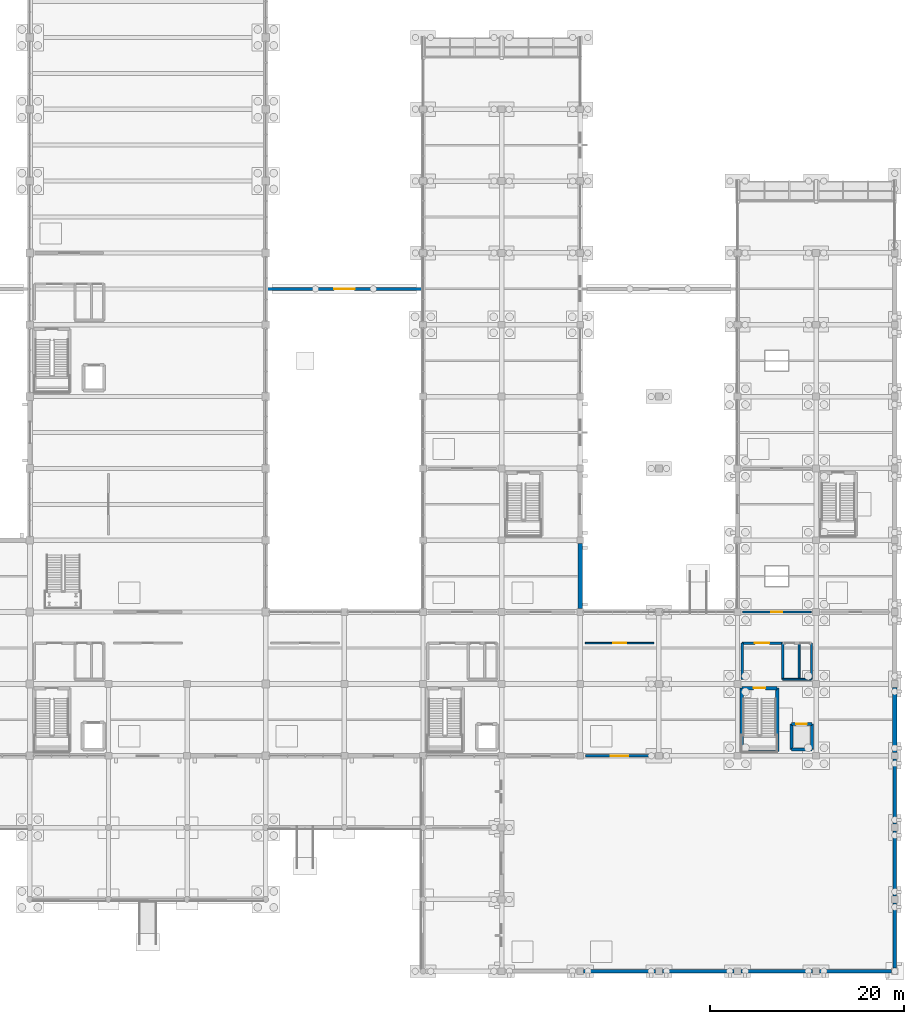
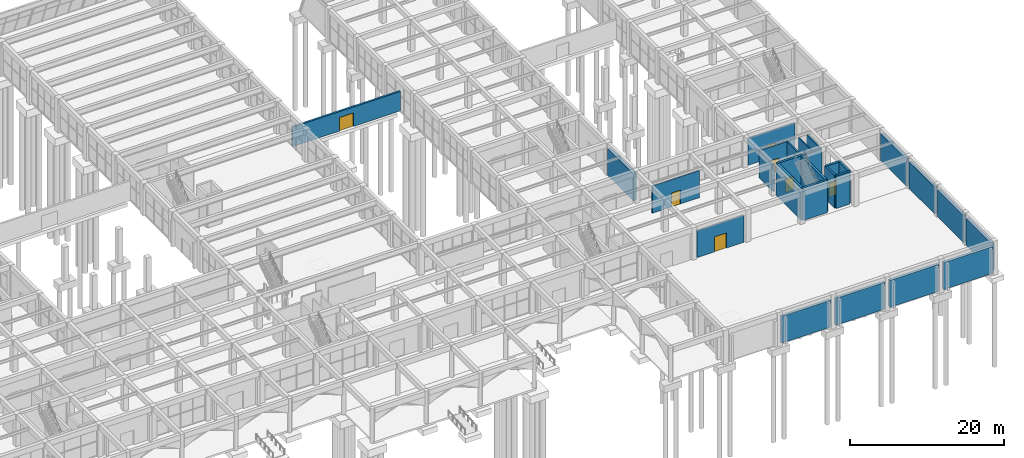
# One storey, part 129 of 140: 27 walls, 7 doors, 7 openings.
"""IFC4 building model written with IfcOpenShell, lengths in metres."""

from ifc_helpers import new_model, si_unit, direction, frame, frame_2d, origin, place, context, subcontext, project, spatial, rectangle, extrude, material, layer, layer_set, type_object, element, fill, save


model = new_model("IFC4")

# Units and contexts
model_context = context("Model", 3, precision=1e-05, world=origin(), true_north=direction((0.0, 1.0)))
body_context = subcontext(model_context, "Body", "Model", "MODEL_VIEW")
ifc_project = project(units=[si_unit("LENGTHUNIT", "METRE"), si_unit("AREAUNIT", "SQUARE_METRE"), si_unit("VOLUMEUNIT", "CUBIC_METRE"), si_unit("PLANEANGLEUNIT", "RADIAN"), si_unit("MASSUNIT", "GRAM", prefix="KILO")], contexts=[model_context])

# Site, building, storey
site_placement = place(None, origin())
site = spatial("IfcSite", under=ifc_project, at=site_placement, CompositionType="ELEMENT")
building_placement = place(site_placement, origin())
building = spatial("IfcBuilding", under=site, at=building_placement, Name="Cimatlan Art Gallery", CompositionType="ELEMENT")
storey_placement = place(building_placement, origin())
storey = spatial("IfcBuildingStorey", under=building, at=storey_placement, Name="L00", CompositionType="ELEMENT", Elevation=0.0)

# Walls
ifc_material_1 = material(Name="Concrete C40/50", Category="concrete")
ifc_layer_1 = layer(ifc_material_1, 0.31005859375)
ifc_layer_set_1 = layer_set([ifc_layer_1], Name="Concrete C40/50")
wall_type_1 = type_object("IfcWallType", Name="W-CORE-310", PredefinedType="SHEAR", material=ifc_layer_set_1)
wall_1_placement = place(storey_placement, frame((153.35009765625, 24.550048828125, 0.0), z_axis=(0.0, 0.0, 1.0), x_axis=(0.0, 1.0, 0.0)))
element("IfcWall", 1, at=wall_1_placement, inside=storey, type_object=wall_type_1, Name="WL-SHFT-C5-L00-LW", PredefinedType="SHEAR", context=body_context, shape_type="SweptSolid", body=[
    extrude(rectangle(XDim=2.599853515625, YDim=0.31005859375, at=frame_2d((1.2998046875, 0.0))), origin(), (0.0, 0.0, 1.0), 5.1298828125),
])
wall_2_placement = place(storey_placement, frame((153.35009765625, 24.550048828125, 0.0), z_axis=(0.0, 0.0, 1.0), x_axis=(1.0, 0.0, 0.0)))
element("IfcWall", 2, at=wall_2_placement, inside=storey, type_object=wall_type_1, Name="WL-SHFT-C5-L00-LS", PredefinedType="SHEAR", context=body_context, shape_type="SweptSolid", body=[
    extrude(rectangle(XDim=2.099853515625, YDim=0.31005859375, at=frame_2d((1.0498046875, 0.0))), origin(), (0.0, 0.0, 1.0), 5.1298828125),
])
wall_3_placement = place(storey_placement, frame((155.449951171875, 24.550048828125, 0.0), z_axis=(0.0, 0.0, 1.0), x_axis=(0.0, 1.0, 0.0)))
element("IfcWall", 3, at=wall_3_placement, inside=storey, type_object=wall_type_1, Name="WL-SHFT-C5-L00-LE", PredefinedType="SHEAR", context=body_context, shape_type="SweptSolid", body=[
    extrude(rectangle(XDim=2.599853515625, YDim=0.31005859375, at=frame_2d((1.2998046875, 0.0))), origin(), (0.0, 0.0, 1.0), 5.1298828125),
])

# Wall, opening, door
wall_4_placement = place(storey_placement, frame((153.35009765625, 27.14990234375, 0.0), z_axis=(0.0, 0.0, 1.0), x_axis=(1.0, 0.0, 0.0)))
wall_4 = element("IfcWall", 4, at=wall_4_placement, inside=storey, type_object=wall_type_1, Name="WL-SHFT-C5-L00-LN", PredefinedType="SHEAR", context=body_context, shape_type="SweptSolid", body=[
    extrude(rectangle(XDim=2.099853515625, YDim=0.31005859375, at=frame_2d((1.0498046875, 0.0))), origin(), (0.0, 0.0, 1.0), 5.1298828125),
])
opening_1_placement = place(wall_4_placement, frame((0.5, 0.0, 0.0)))
opening_1 = element("IfcOpeningElement", 5, at=opening_1_placement, cuts=wall_4, Name="Opening LD-C5-L00", PredefinedType="OPENING", context=body_context, shape_type="SweptSolid", body=[
    extrude(rectangle(XDim=1.10009765625, YDim=2.14990234375, at=frame_2d((0.550048828125, 1.074951171875))), frame((0.0, 0.1650390625, 0.0), z_axis=(0.0, -1.0, 0.0), x_axis=(1.0, 0.0, 0.0)), (0.0, 0.0, 1.0), 0.330078125),
])
ifc_material_2 = material(Name="Brushed bronze sliding lift landing door")
door_type_1 = type_object("IfcDoorType", Name="LD-PS-1100", OperationType="NOTDEFINED", PredefinedType="DOOR", material=ifc_material_2)
door_1_placement = place(opening_1_placement, origin())
door_1 = element("IfcDoor", 6, at=door_1_placement, inside=storey, type_object=door_type_1, Name="LD-PL-02-L00", OperationType="SLIDING_TO_LEFT", OverallHeight=2.14990234375, OverallWidth=1.10009765625, PredefinedType="DOOR", context=body_context, shape_type="SweptSolid", body=[
    extrude(rectangle(XDim=1.10009765625, YDim=2.14990234375, at=frame_2d((0.550048828125, 1.074951171875))), frame((0.0, 0.02490234375, 0.0), z_axis=(0.0, -1.0, 0.0), x_axis=(1.0, 0.0, 0.0)), (0.0, 0.0, 1.0), 0.050048828125),
])
fill(opening_1, door_1)

# Walls
ifc_layer_2 = layer(ifc_material_1, 0.35009765625)
ifc_layer_set_2 = layer_set([ifc_layer_2], Name="Concrete C40/50")
wall_type_2 = type_object("IfcWallType", Name="W-CORE-350", PredefinedType="SHEAR", material=ifc_layer_set_2)
wall_5_placement = place(storey_placement, frame((148.239990234375, 24.340087890625, 0.0), z_axis=(0.0, 0.0, 1.0), x_axis=(0.0, 1.0, 0.0)))
element("IfcWall", 7, at=wall_5_placement, inside=storey, type_object=wall_type_2, Name="WL-CORE-C5-L00-SW", PredefinedType="SHEAR", context=body_context, shape_type="SweptSolid", body=[
    extrude(rectangle(XDim=6.52001953125, YDim=0.35009765625, at=frame_2d((3.260009765625, 0.0))), origin(), (0.0, 0.0, 1.0), 5.1298828125),
])
wall_6_placement = place(storey_placement, frame((148.239990234375, 24.340087890625, 0.0), z_axis=(0.0, 0.0, 1.0), x_axis=(1.0, 0.0, 0.0)))
element("IfcWall", 8, at=wall_6_placement, inside=storey, type_object=wall_type_2, Name="WL-CORE-C5-L00-SS", PredefinedType="SHEAR", context=body_context, shape_type="SweptSolid", body=[
    extrude(rectangle(XDim=3.639892578125, YDim=0.35009765625, at=frame_2d((1.81982421875, 0.0))), origin(), (0.0, 0.0, 1.0), 5.1298828125),
])
wall_7_placement = place(storey_placement, frame((151.8798828125, 24.340087890625, 0.0), z_axis=(0.0, 0.0, 1.0), x_axis=(0.0, 1.0, 0.0)))
element("IfcWall", 9, at=wall_7_placement, inside=storey, type_object=wall_type_2, Name="WL-CORE-C5-L00-SE", PredefinedType="SHEAR", context=body_context, shape_type="SweptSolid", body=[
    extrude(rectangle(XDim=6.52001953125, YDim=0.35009765625, at=frame_2d((3.260009765625, 0.0))), origin(), (0.0, 0.0, 1.0), 5.1298828125),
])

# Wall, opening, door
wall_8_placement = place(storey_placement, frame((148.239990234375, 30.860107421875, 0.0), z_axis=(0.0, 0.0, 1.0), x_axis=(1.0, 0.0, 0.0)))
wall_8 = element("IfcWall", 10, at=wall_8_placement, inside=storey, type_object=wall_type_2, Name="WL-CORE-C5-L00-SN", PredefinedType="SHEAR", context=body_context, shape_type="SweptSolid", body=[
    extrude(rectangle(XDim=3.639892578125, YDim=0.35009765625, at=frame_2d((1.81982421875, 0.0))), origin(), (0.0, 0.0, 1.0), 5.1298828125),
])
opening_2_placement = place(wall_8_placement, frame((1.219970703125, 0.0, 0.0)))
opening_2 = element("IfcOpeningElement", 11, at=opening_2_placement, cuts=wall_8, Name="Opening FD-C5-L00", PredefinedType="OPENING", context=body_context, shape_type="SweptSolid", body=[
    extrude(rectangle(XDim=1.199951171875, YDim=2.14990234375, at=frame_2d((0.60009765625, 1.074951171875))), frame((0.0, 0.18505859375, 0.0), z_axis=(0.0, -1.0, 0.0), x_axis=(1.0, 0.0, 0.0)), (0.0, 0.0, 1.0), 0.3701171875),
])
ifc_material_3 = material(Name="Fire-resisting steel acoustic stair door", Category="steel")
door_type_2 = type_object("IfcDoorType", Name="FD-ST-1200", OperationType="NOTDEFINED", PredefinedType="DOOR", material=ifc_material_3)
door_2_placement = place(opening_2_placement, origin())
door_2 = element("IfcDoor", 12, at=door_2_placement, inside=storey, type_object=door_type_2, Name="DR-C5-L00-ST", OperationType="SINGLE_SWING_LEFT", OverallHeight=2.14990234375, OverallWidth=1.199951171875, PredefinedType="DOOR", context=body_context, shape_type="SweptSolid", body=[
    extrude(rectangle(XDim=1.199951171875, YDim=2.14990234375, at=frame_2d((0.60009765625, 1.074951171875))), frame((0.0, 0.02490234375, 0.0), z_axis=(0.0, -1.0, 0.0), x_axis=(1.0, 0.0, 0.0)), (0.0, 0.0, 1.0), 0.050048828125),
])
fill(opening_2, door_2)

ifc_material_4 = material(Name="Precast concrete C40/50", Category="concrete")
ifc_layer_3 = layer(ifc_material_4, 0.2451171875)
ifc_layer_set_3 = layer_set([ifc_layer_3], Name="Precast concrete C40/50")
wall_type_3 = type_object("IfcWallType", Name="W-FFL-245", PredefinedType="PARTITIONING", material=ifc_layer_set_3)
wall_9_placement = place(storey_placement, frame((148.280029296875, 35.5, 0.0), z_axis=(0.0, 0.0, 1.0), x_axis=(1.0, 0.0, 0.0)))
wall_9 = element("IfcWall", 13, at=wall_9_placement, inside=storey, type_object=wall_type_3, Name="WL-LOB-C5-L00-N", PredefinedType="PARTITIONING", context=body_context, shape_type="SweptSolid", body=[
    extrude(rectangle(XDim=4.169921875, YDim=0.2451171875, at=frame_2d((2.0849609375, 0.0))), origin(), (0.0, 0.0, 1.0), 4.324951171875),
])
opening_3_placement = place(wall_9_placement, frame((1.300048828125, 0.0, 0.0)))
opening_3 = element("IfcOpeningElement", 14, at=opening_3_placement, cuts=wall_9, Name="Opening FDL-C5-L00", PredefinedType="OPENING", context=body_context, shape_type="SweptSolid", body=[
    extrude(rectangle(XDim=1.5, YDim=2.14990234375, at=frame_2d((0.75, 1.074951171875))), frame((0.0, 0.132568359375, 0.0), z_axis=(0.0, -1.0, 0.0), x_axis=(1.0, 0.0, 0.0)), (0.0, 0.0, 1.0), 0.26513671875),
])
ifc_material_5 = material(Name="Fire-resisting double-seal lobby door")
door_type_3 = type_object("IfcDoorType", Name="FD-LB-1500", OperationType="NOTDEFINED", PredefinedType="DOOR", material=ifc_material_5)
door_3_placement = place(opening_3_placement, origin())
door_3 = element("IfcDoor", 15, at=door_3_placement, inside=storey, type_object=door_type_3, Name="DR-LOB-C5-L00", OperationType="SINGLE_SWING_RIGHT", OverallHeight=2.14990234375, OverallWidth=1.5, PredefinedType="DOOR", context=body_context, shape_type="SweptSolid", body=[
    extrude(rectangle(XDim=1.5, YDim=2.14990234375, at=frame_2d((0.75, 1.074951171875))), frame((0.0, 0.02490234375, 0.0), z_axis=(0.0, -1.0, 0.0), x_axis=(1.0, 0.0, 0.0)), (0.0, 0.0, 1.0), 0.050048828125),
])
fill(opening_3, door_3)

# Walls
for number, where, z_axis, x_axis, name in (
    (16, (148.280029296875, 31.780029296875, 0.0), (0.0, 0.0, 1.0), (0.0, 1.0, 0.0), "WL-LOB-C5-L00-W"),
    (17, (152.449951171875, 31.780029296875, 0.0), (0.0, 0.0, 1.0), (0.0, 1.0, 0.0), "WL-LOB-C5-L00-M"),
):
    element("IfcWall", number, at=place(storey_placement, frame(where, z_axis=z_axis, x_axis=x_axis)), inside=storey, type_object=wall_type_3, Name=name, PredefinedType="PARTITIONING", context=body_context, shape_type="SweptSolid", body=[
        extrude(rectangle(XDim=3.719970703125, YDim=0.2451171875, at=frame_2d((1.85986328125, 0.0))), origin(), (0.0, 0.0, 1.0), 4.27490234375),
    ])

# Wall, opening, door
ifc_material_6 = material(Name="Acoustic gypsum and steel stud partition", Category="steel")
ifc_layer_4 = layer(ifc_material_6, 0.22509765625)
ifc_layer_set_4 = layer_set([ifc_layer_4], Name="Acoustic gypsum and steel stud partition")
wall_type_4 = type_object("IfcWallType", Name="W-GAL-225", PredefinedType="PARTITIONING", material=ifc_layer_set_4)
wall_10_placement = place(storey_placement, frame((132.1201171875, 23.89990234375, 0.0), z_axis=(0.0, 0.0, 1.0), x_axis=(1.0, 0.0, 0.0)))
wall_10 = element("IfcWall", 18, at=wall_10_placement, inside=storey, type_object=wall_type_4, Name="WL-RM-L00-AUD-HAL", PredefinedType="PARTITIONING", context=body_context, shape_type="SweptSolid", body=[
    extrude(rectangle(XDim=7.059814453125, YDim=0.22509765625, at=frame_2d((3.52978515625, 0.0))), origin(), (0.0, 0.0, 1.0), 4.27490234375),
])
opening_4_placement = place(wall_10_placement, frame((2.6298828125, 0.0, 0.0)))
opening_4 = element("IfcOpeningElement", 19, at=opening_4_placement, cuts=wall_10, Name="Opening DI-0188", PredefinedType="OPENING", context=body_context, shape_type="SweptSolid", body=[
    extrude(rectangle(XDim=1.800048828125, YDim=2.39990234375, at=frame_2d((0.89990234375, 1.199951171875))), frame((0.0, 0.12255859375, 0.0), z_axis=(0.0, -1.0, 0.0), x_axis=(1.0, 0.0, 0.0)), (0.0, 0.0, 1.0), 0.2451171875),
])
ifc_material_7 = material(Name="Acoustic timber auditorium door", Category="wood")
door_type_4 = type_object("IfcDoorType", Name="DI-AU-1800", OperationType="NOTDEFINED", PredefinedType="DOOR", material=ifc_material_7)
door_4_placement = place(opening_4_placement, origin())
door_4 = element("IfcDoor", 20, at=door_4_placement, inside=storey, type_object=door_type_4, Name="DR-RM-L00-AUD-HAL", OperationType="SINGLE_SWING_RIGHT", OverallHeight=2.39990234375, OverallWidth=1.800048828125, PredefinedType="DOOR", context=body_context, shape_type="SweptSolid", body=[
    extrude(rectangle(XDim=1.800048828125, YDim=2.39990234375, at=frame_2d((0.89990234375, 1.199951171875))), frame((0.0, 0.02490234375, 0.0), z_axis=(0.0, -1.0, 0.0), x_axis=(1.0, 0.0, 0.0)), (0.0, 0.0, 1.0), 0.050048828125),
])
fill(opening_4, door_4)

ifc_layer_5 = layer(ifc_material_6, 0.159912109375)
ifc_layer_set_5 = layer_set([ifc_layer_5], Name="Acoustic gypsum and steel stud partition")
wall_type_5 = type_object("IfcWallType", Name="W-LRN-160", PredefinedType="PARTITIONING", material=ifc_layer_set_5)
wall_11_placement = place(storey_placement, frame((132.1201171875, 35.5, 0.0), z_axis=(0.0, 0.0, 1.0), x_axis=(1.0, 0.0, 0.0)))
wall_11 = element("IfcWall", 21, at=wall_11_placement, inside=storey, type_object=wall_type_5, Name="WL-RM-L00-LRN-02", PredefinedType="PARTITIONING", context=body_context, shape_type="SweptSolid", body=[
    extrude(rectangle(XDim=7.059814453125, YDim=0.159912109375, at=frame_2d((3.52978515625, 0.0))), origin(), (0.0, 0.0, 1.0), 4.324951171875),
])
opening_5_placement = place(wall_11_placement, frame((2.85498046875, 0.0, 0.0)))
opening_5 = element("IfcOpeningElement", 22, at=opening_5_placement, cuts=wall_11, Name="Opening DI-0192", PredefinedType="OPENING", context=body_context, shape_type="SweptSolid", body=[
    extrude(rectangle(XDim=1.35009765625, YDim=2.199951171875, at=frame_2d((0.675048828125, 1.10009765625))), frame((0.0, 0.08984375, 0.0), z_axis=(0.0, -1.0, 0.0), x_axis=(1.0, 0.0, 0.0)), (0.0, 0.0, 1.0), 0.179931640625),
])
ifc_material_8 = material(Name="Oak learning-centre workshop door")
door_type_5 = type_object("IfcDoorType", Name="DI-LN-1350", OperationType="NOTDEFINED", PredefinedType="DOOR", material=ifc_material_8)
door_5_placement = place(opening_5_placement, origin())
door_5 = element("IfcDoor", 23, at=door_5_placement, inside=storey, type_object=door_type_5, Name="DR-RM-L00-LRN-02", OperationType="SINGLE_SWING_RIGHT", OverallHeight=2.199951171875, OverallWidth=1.35009765625, PredefinedType="DOOR", context=body_context, shape_type="SweptSolid", body=[
    extrude(rectangle(XDim=1.35009765625, YDim=2.199951171875, at=frame_2d((0.675048828125, 1.10009765625))), frame((0.0, 0.02490234375, 0.0), z_axis=(0.0, -1.0, 0.0), x_axis=(1.0, 0.0, 0.0)), (0.0, 0.0, 1.0), 0.050048828125),
])
fill(opening_5, door_5)

# Walls
ifc_material_9 = material(Name="Moisture-resistant fire-rated plumbing wall")
ifc_layer_6 = layer(ifc_material_9, 0.195068359375)
ifc_layer_set_6 = layer_set([ifc_layer_6], Name="Moisture-resistant fire-rated plumbing wall")
wall_type_6 = type_object("IfcWallType", Name="W-PLM-195", PredefinedType="PARTITIONING", material=ifc_layer_set_6)
for number, where, z_axis, x_axis, name in (
    (24, (154.14990234375, 31.780029296875, 0.0), (0.0, 0.0, 1.0), (0.0, 1.0, 0.0), "WL-LOB-C5-L00-D"),
    (25, (155.419921875, 31.780029296875, 0.0), (0.0, 0.0, 1.0), (0.0, 1.0, 0.0), "WL-LOB-C5-L00-E"),
):
    element("IfcWall", number, at=place(storey_placement, frame(where, z_axis=z_axis, x_axis=x_axis)), inside=storey, type_object=wall_type_6, Name=name, PredefinedType="PARTITIONING", context=body_context, shape_type="SweptSolid", body=[
        extrude(rectangle(XDim=3.719970703125, YDim=0.195068359375, at=frame_2d((1.85986328125, 0.0))), origin(), (0.0, 0.0, 1.0), 4.27490234375),
    ])
wall_12_placement = place(storey_placement, frame((152.449951171875, 31.780029296875, 0.0), z_axis=(0.0, 0.0, 1.0), x_axis=(1.0, 0.0, 0.0)))
element("IfcWall", 26, at=wall_12_placement, inside=storey, type_object=wall_type_6, Name="WL-LOB-C5-L00-S", PredefinedType="PARTITIONING", context=body_context, shape_type="SweptSolid", body=[
    extrude(rectangle(XDim=2.969970703125, YDim=0.195068359375, at=frame_2d((1.48486328125, 0.0))), origin(), (0.0, 0.0, 1.0), 4.27490234375),
])

# Wall, opening, door
ifc_layer_7 = layer(ifc_material_6, 0.179931640625)
ifc_layer_set_7 = layer_set([ifc_layer_7], Name="Acoustic gypsum and steel stud partition")
wall_type_7 = type_object("IfcWallType", Name="W-STD-180", PredefinedType="PARTITIONING", material=ifc_layer_set_7)
wall_13_placement = place(storey_placement, frame((148.320068359375, 38.699951171875, 0.0), z_axis=(0.0, 0.0, 1.0), x_axis=(1.0, 0.0, 0.0)))
wall_13 = element("IfcWall", 27, at=wall_13_placement, inside=storey, type_object=wall_type_7, Name="WL-RM-L00-STD-01", PredefinedType="PARTITIONING", context=body_context, shape_type="SweptSolid", body=[
    extrude(rectangle(XDim=7.059814453125, YDim=0.179931640625, at=frame_2d((3.52978515625, 0.0))), origin(), (0.0, 0.0, 1.0), 4.27490234375),
])
opening_6_placement = place(wall_13_placement, frame((2.955078125, 0.0, 0.0)))
opening_6 = element("IfcOpeningElement", 28, at=opening_6_placement, cuts=wall_13, Name="Opening DI-0193", PredefinedType="OPENING", context=body_context, shape_type="SweptSolid", body=[
    extrude(rectangle(XDim=1.14990234375, YDim=2.14990234375, at=frame_2d((0.574951171875, 1.074951171875))), frame((0.0, 0.10009765625, 0.0), z_axis=(0.0, -1.0, 0.0), x_axis=(1.0, 0.0, 0.0)), (0.0, 0.0, 1.0), 0.199951171875),
])
ifc_material_10 = material(Name="Solid oak artists' studio door")
door_type_6 = type_object("IfcDoorType", Name="DI-SD-1150", OperationType="NOTDEFINED", PredefinedType="DOOR", material=ifc_material_10)
door_6_placement = place(opening_6_placement, origin())
door_6 = element("IfcDoor", 29, at=door_6_placement, inside=storey, type_object=door_type_6, Name="DR-RM-L00-STD-01", OperationType="SINGLE_SWING_LEFT", OverallHeight=2.14990234375, OverallWidth=1.14990234375, PredefinedType="DOOR", context=body_context, shape_type="SweptSolid", body=[
    extrude(rectangle(XDim=1.14990234375, YDim=2.14990234375, at=frame_2d((0.574951171875, 1.074951171875))), frame((0.0, 0.02490234375, 0.0), z_axis=(0.0, -1.0, 0.0), x_axis=(1.0, 0.0, 0.0)), (0.0, 0.0, 1.0), 0.050048828125),
])
fill(opening_6, door_6)

# Walls
ifc_layer_8 = layer(ifc_material_4, 0.385009765625)
ifc_layer_set_8 = layer_set([ifc_layer_8], Name="Precast concrete C40/50")
wall_type_8 = type_object("IfcWallType", Name="WL-EXT-AUD-385", PredefinedType="SOLIDWALL", material=ifc_layer_set_8)
wall_14_placement = place(storey_placement, frame((139.345947265625, 1.699951171875, 0.0), z_axis=(0.0, 0.0, 1.0), x_axis=(-1.0, 0.0, 0.0)))
element("IfcWall", 30, at=wall_14_placement, inside=storey, type_object=wall_type_8, Name="WL-EXT-L00-16-00-S", PredefinedType="SOLIDWALL", context=body_context, shape_type="SweptSolid", body=[
    extrude(rectangle(XDim=7.391845703125, YDim=0.385009765625, at=frame_2d((3.69580078125, 0.0))), origin(), (0.0, 0.0, 1.0), 4.27001953125),
])
wall_15_placement = place(storey_placement, frame((147.446044921875, 1.699951171875, 0.0), z_axis=(0.0, 0.0, 1.0), x_axis=(-1.0, 0.0, 0.0)))
element("IfcWall", 31, at=wall_15_placement, inside=storey, type_object=wall_type_8, Name="WL-EXT-L00-17-00-S", PredefinedType="SOLIDWALL", context=body_context, shape_type="SweptSolid", body=[
    extrude(rectangle(XDim=7.39208984375, YDim=0.385009765625, at=frame_2d((3.696044921875, 0.0))), origin(), (0.0, 0.0, 1.0), 4.27001953125),
])
wall_16_placement = place(storey_placement, frame((155.5458984375, 1.699951171875, 0.0), z_axis=(0.0, 0.0, 1.0), x_axis=(-1.0, 0.0, 0.0)))
element("IfcWall", 32, at=wall_16_placement, inside=storey, type_object=wall_type_8, Name="WL-EXT-L00-18-00-S", PredefinedType="SOLIDWALL", context=body_context, shape_type="SweptSolid", body=[
    extrude(rectangle(XDim=7.391845703125, YDim=0.385009765625, at=frame_2d((3.69580078125, 0.0))), origin(), (0.0, 0.0, 1.0), 4.27001953125),
])
wall_17_placement = place(storey_placement, frame((163.64599609375, 1.699951171875, 0.0), z_axis=(0.0, 0.0, 1.0), x_axis=(-1.0, 0.0, 0.0)))
element("IfcWall", 33, at=wall_17_placement, inside=storey, type_object=wall_type_8, Name="WL-EXT-L00-19-00-S", PredefinedType="SOLIDWALL", context=body_context, shape_type="SweptSolid", body=[
    extrude(rectangle(XDim=7.39208984375, YDim=0.385009765625, at=frame_2d((3.696044921875, 0.0))), origin(), (0.0, 0.0, 1.0), 4.27001953125),
])
wall_18_placement = place(storey_placement, frame((164.0, 8.74609375, 0.0), z_axis=(0.0, 0.0, 1.0), x_axis=(0.0, -1.0, 0.0)))
element("IfcWall", 34, at=wall_18_placement, inside=storey, type_object=wall_type_8, Name="WL-EXT-L00-19-00-E", PredefinedType="SOLIDWALL", context=body_context, shape_type="SweptSolid", body=[
    extrude(rectangle(XDim=6.692138671875, YDim=0.385009765625, at=frame_2d((3.34619140625, 0.0))), origin(), (0.0, 0.0, 1.0), 4.27001953125),
])
wall_19_placement = place(storey_placement, frame((164.0, 16.14599609375, 0.0), z_axis=(0.0, 0.0, 1.0), x_axis=(0.0, -1.0, 0.0)))
element("IfcWall", 35, at=wall_19_placement, inside=storey, type_object=wall_type_8, Name="WL-EXT-L00-19-01-E", PredefinedType="SOLIDWALL", context=body_context, shape_type="SweptSolid", body=[
    extrude(rectangle(XDim=6.69189453125, YDim=0.385009765625, at=frame_2d((3.345947265625, 0.0))), origin(), (0.0, 0.0, 1.0), 4.320068359375),
])
wall_20_placement = place(storey_placement, frame((164.0, 23.5458984375, 0.0), z_axis=(0.0, 0.0, 1.0), x_axis=(0.0, -1.0, 0.0)))
element("IfcWall", 36, at=wall_20_placement, inside=storey, type_object=wall_type_8, Name="WL-EXT-L00-19-02-E", PredefinedType="SOLIDWALL", context=body_context, shape_type="SweptSolid", body=[
    extrude(rectangle(XDim=6.69189453125, YDim=0.385009765625, at=frame_2d((3.345947265625, 0.0))), origin(), (0.0, 0.0, 1.0), 4.27001953125),
])
ifc_layer_9 = layer(ifc_material_4, 0.43994140625)
ifc_layer_set_9 = layer_set([ifc_layer_9], Name="Precast concrete C40/50")
wall_type_9 = type_object("IfcWallType", Name="WL-EXT-CAN-440", PredefinedType="SOLIDWALL", material=ifc_layer_set_9)
for number, where, z_axis, x_axis, name in (
    (37, (131.60009765625, 45.74609375, 0.0), (0.0, 0.0, 1.0), (0.0, -1.0, 0.0), "WL-EXT-L00-15-05-E"),
    (38, (164.0, 30.946044921875, 0.0), (0.0, 0.0, 1.0), (0.0, -1.0, 0.0), "WL-EXT-L00-19-03-E"),
):
    element("IfcWall", number, at=place(storey_placement, frame(where, z_axis=z_axis, x_axis=x_axis)), inside=storey, type_object=wall_type_9, Name=name, PredefinedType="SOLIDWALL", context=body_context, shape_type="SweptSolid", body=[
        extrude(rectangle(XDim=6.692138671875, YDim=0.43994140625, at=frame_2d((3.34619140625, 0.0))), origin(), (0.0, 0.0, 1.0), 4.27001953125),
    ])

# Wall, opening, door
ifc_layer_10 = layer(ifc_material_4, 0.294921875)
ifc_layer_set_10 = layer_set([ifc_layer_10], Name="Precast concrete C40/50")
wall_type_10 = type_object("IfcWallType", Name="WL-EXT-CLN-295", PredefinedType="SOLIDWALL", material=ifc_layer_set_10)
wall_21_placement = place(storey_placement, frame((99.2099609375, 72.0, 0.0), z_axis=(0.0, 0.0, 1.0), x_axis=(1.0, 0.0, 0.0)))
wall_21 = element("IfcWall", 39, at=wall_21_placement, inside=storey, type_object=wall_type_10, Name="WL-CGS-3", PredefinedType="SOLIDWALL", context=body_context, shape_type="SweptSolid", body=[
    extrude(rectangle(XDim=16.179931640625, YDim=0.294921875, at=frame_2d((8.08984375, 0.0))), origin(), (0.0, 0.0, 1.0), 3.10009765625),
])
opening_7_placement = place(wall_21_placement, frame((7.0400390625, 0.0, 0.0)))
opening_7 = element("IfcOpeningElement", 40, at=opening_7_placement, cuts=wall_21, Name="Opening GT-03", PredefinedType="OPENING", context=body_context, shape_type="SweptSolid", body=[
    extrude(rectangle(XDim=2.10009765625, YDim=2.14990234375, at=frame_2d((1.050048828125, 1.074951171875))), frame((0.0, 0.157470703125, 0.0), z_axis=(0.0, -1.0, 0.0), x_axis=(1.0, 0.0, 0.0)), (0.0, 0.0, 1.0), 0.31494140625),
])
ifc_material_11 = material(Name="Painted architectural steel gate", Category="steel")
door_type_7 = type_object("IfcDoorType", Name="GT-EX-2100", OperationType="NOTDEFINED", PredefinedType="GATE", material=ifc_material_11)
door_7_placement = place(opening_7_placement, origin())
door_7 = element("IfcDoor", 41, at=door_7_placement, inside=storey, type_object=door_type_7, Name="GT-03", OperationType="DOUBLE_SWING_LEFT", OverallHeight=2.14990234375, OverallWidth=2.10009765625, PredefinedType="GATE", context=body_context, shape_type="SweptSolid", body=[
    extrude(rectangle(XDim=2.10009765625, YDim=2.14990234375, at=frame_2d((1.050048828125, 1.074951171875))), frame((0.0, 0.02490234375, 0.0), z_axis=(0.0, -1.0, 0.0), x_axis=(1.0, 0.0, 0.0)), (0.0, 0.0, 1.0), 0.050048828125),
])
fill(opening_7, door_7)

save(model, "model.ifc")
